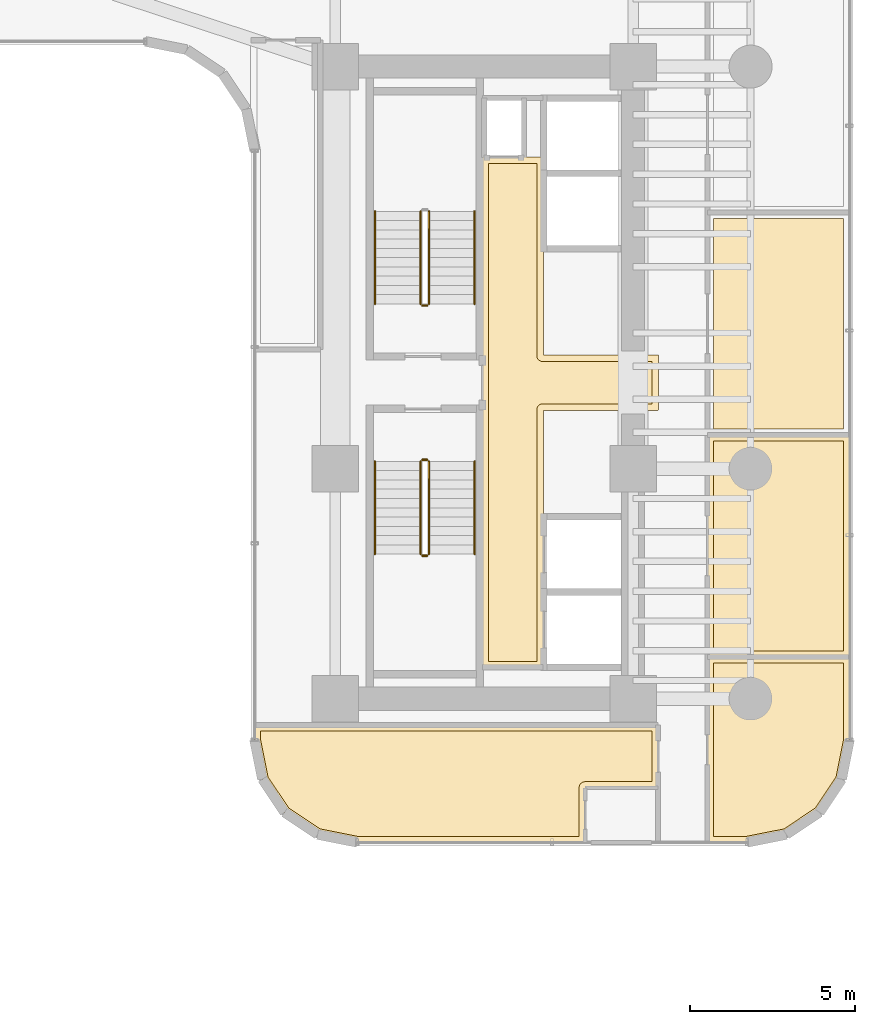
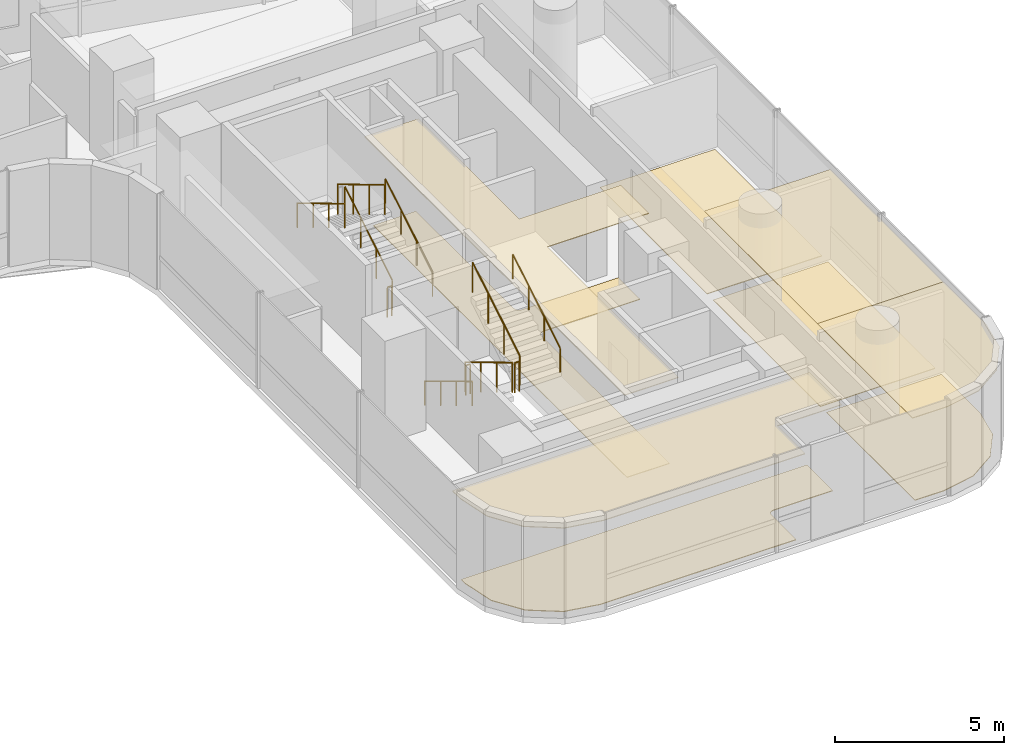
# One storey, part 37 of 40: 11 railings, 9 coverings.
"""IFC4 building model written with IfcOpenShell, lengths in metres."""

from ifc_helpers import new_model, si_unit, direction, frame, origin, origin_2d, place, context, subcontext, project, spatial, polyline, circle, outline, extrude, material, layer, layer_set, type_object, element, save


model = new_model("IFC4")

# Units and contexts
model_context = context("Model", 3, precision=1e-05, world=origin(), true_north=direction((0.0, 1.0)))
body_context = subcontext(model_context, "Body", "Model", "MODEL_VIEW")
ifc_project = project(units=[si_unit("LENGTHUNIT", "METRE"), si_unit("AREAUNIT", "SQUARE_METRE"), si_unit("VOLUMEUNIT", "CUBIC_METRE"), si_unit("PLANEANGLEUNIT", "RADIAN"), si_unit("MASSUNIT", "GRAM", prefix="KILO")], contexts=[model_context])

# Site, building, storey
site_placement = place(None, origin())
site = spatial("IfcSite", under=ifc_project, at=site_placement, CompositionType="ELEMENT")
building_placement = place(site_placement, origin())
building = spatial("IfcBuilding", under=site, at=building_placement, Name="Valdorenza Pilgrim Sanctuary Tower", CompositionType="ELEMENT")
storey_placement = place(building_placement, frame((0.0, 0.0, 44.5)))
storey = spatial("IfcBuildingStorey", under=building, at=storey_placement, Name="L10", CompositionType="ELEMENT", Elevation=44.5)

# Coverings
ifc_material_1 = material(Name="Micro-perforated acoustic mineral ceiling tile", Category="gypsum")
ifc_layer_1 = layer(ifc_material_1, 0.02490234375, Name="Micro-perforated acoustic mineral ceiling tile")
ifc_layer_set_1 = layer_set([ifc_layer_1], Name="Micro-perforated acoustic mineral ceiling tile")
covering_type_1 = type_object("IfcCoveringType", Name="COV-CLG-ACU", PredefinedType="CEILING", material=ifc_layer_set_1)
covering_1_placement = place(storey_placement, frame((0.0, 0.0, 3.159912109375)))
element("IfcCovering", 1, at=covering_1_placement, inside=storey, type_object=covering_type_1, Name="L10 Core B Passenger Lift Lobby Acoustic Ceiling", PredefinedType="CEILING", context=body_context, shape_type="SweptSolid", body=[
    extrude(outline(polyline([(20.287109375, -0.814697265625), (20.287109375, 0.814697265625), (20.28662109375, 0.815185546875), (20.2861328125, 0.81640625), (20.28564453125, 0.81787109375), (20.285400390625, 0.819091796875), (20.28515625, 0.820556640625), (20.284912109375, 0.822021484375), (20.284912109375, 6.800048828125), (20.28515625, 6.801513671875), (20.285400390625, 6.802978515625), (20.28564453125, 6.804443359375), (20.2861328125, 6.8056640625), (20.286865234375, 6.80712890625), (20.28759765625, 6.808349609375), (20.288330078125, 6.8095703125), (20.289306640625, 6.810546875), (20.29052734375, 6.8115234375), (20.291748046875, 6.8125), (20.29296875, 6.813232421875), (20.294189453125, 6.81396484375), (20.295654296875, 6.814453125), (20.297119140625, 6.814697265625), (20.298583984375, 6.81494140625), (20.300048828125, 6.81494140625), (20.347900390625, 6.81494140625), (20.349365234375, 6.81494140625), (20.350830078125, 6.814697265625), (20.352294921875, 6.814453125), (20.353515625, 6.81396484375), (20.35498046875, 6.813232421875), (20.35546875, 6.81298828125), (21.544677734375, 6.81298828125), (21.545166015625, 6.813232421875), (21.54638671875, 6.81396484375), (21.5478515625, 6.814453125), (21.54931640625, 6.814697265625), (21.550537109375, 6.81494140625), (21.552001953125, 6.81494140625), (22.1201171875, 6.81494140625), (22.12158203125, 6.81494140625), (22.122802734375, 6.814697265625), (22.12451171875, 6.814453125), (22.125732421875, 6.81396484375), (22.127197265625, 6.813232421875), (22.12841796875, 6.8125), (22.12939453125, 6.8115234375), (22.130615234375, 6.810546875), (22.131591796875, 6.8095703125), (22.132568359375, 6.808349609375), (22.13330078125, 6.80712890625), (22.1337890625, 6.8056640625), (22.134521484375, 6.804443359375), (22.134765625, 6.802978515625), (22.135009765625, 6.801513671875), (22.135009765625, 6.800048828125), (22.135009765625, 0.8349609375), (25.60009765625, 0.8349609375), (25.6015625, 0.8349609375), (25.602783203125, 0.834716796875), (25.6044921875, 0.83447265625), (25.605712890625, 0.833984375), (25.607177734375, 0.833251953125), (25.6083984375, 0.83251953125), (25.609619140625, 0.83154296875), (25.610595703125, 0.83056640625), (25.611572265625, 0.82958984375), (25.612548828125, 0.828369140625), (25.61328125, 0.8271484375), (25.614013671875, 0.82568359375), (25.614501953125, 0.824462890625), (25.61474609375, 0.822998046875), (25.614990234375, 0.821533203125), (25.614990234375, 0.820068359375), (25.614990234375, -0.820068359375), (25.614990234375, -0.821533203125), (25.61474609375, -0.822998046875), (25.614501953125, -0.824462890625), (25.614013671875, -0.82568359375), (25.61328125, -0.8271484375), (25.612548828125, -0.828369140625), (25.611572265625, -0.82958984375), (25.610595703125, -0.83056640625), (25.609619140625, -0.83154296875), (25.6083984375, -0.83251953125), (25.607177734375, -0.833251953125), (25.605712890625, -0.833984375), (25.6044921875, -0.83447265625), (25.602783203125, -0.834716796875), (25.6015625, -0.8349609375), (25.60009765625, -0.8349609375), (22.135009765625, -0.8349609375), (22.135009765625, -8.60009765625), (22.135009765625, -8.6015625), (22.134765625, -8.602783203125), (22.134521484375, -8.6044921875), (22.1337890625, -8.605712890625), (22.13330078125, -8.607177734375), (22.132568359375, -8.6083984375), (22.131591796875, -8.609619140625), (22.130615234375, -8.610595703125), (22.12939453125, -8.611572265625), (22.12841796875, -8.612548828125), (22.127197265625, -8.61328125), (22.125732421875, -8.614013671875), (22.12451171875, -8.614501953125), (22.122802734375, -8.61474609375), (22.12158203125, -8.614990234375), (22.1201171875, -8.614990234375), (20.300048828125, -8.614990234375), (20.298583984375, -8.614990234375), (20.297119140625, -8.61474609375), (20.295654296875, -8.614501953125), (20.294189453125, -8.614013671875), (20.29296875, -8.61328125), (20.291748046875, -8.612548828125), (20.29052734375, -8.611572265625), (20.289306640625, -8.610595703125), (20.288330078125, -8.609619140625), (20.28759765625, -8.6083984375), (20.286865234375, -8.607177734375), (20.2861328125, -8.605712890625), (20.28564453125, -8.6044921875), (20.285400390625, -8.602783203125), (20.28515625, -8.6015625), (20.284912109375, -8.60009765625), (20.284912109375, -0.822021484375), (20.28515625, -0.820556640625), (20.285400390625, -0.819091796875), (20.28564453125, -0.81787109375), (20.2861328125, -0.81640625), (20.28662109375, -0.815185546875), (20.287109375, -0.814697265625)])), origin(), (0.0, 0.0, 1.0), 0.025146484375),
])
covering_2_placement = place(storey_placement, frame((0.0, 0.0, 3.159912109375)))
element("IfcCovering", 2, at=covering_2_placement, inside=storey, type_object=covering_type_1, Name="L10 East South Guest Room L10-ES1 Acoustic Ceiling", PredefinedType="CEILING", context=body_context, shape_type="SweptSolid", body=[
    extrude(outline(polyline([(23.4130859375, -12.2529296875), (23.4130859375, -13.889892578125), (23.412841796875, -13.8916015625), (23.41259765625, -13.892822265625), (23.412353515625, -13.894287109375), (23.411865234375, -13.895751953125), (23.4111328125, -13.897216796875), (23.410400390625, -13.898193359375), (23.40966796875, -13.8994140625), (23.40869140625, -13.900634765625), (23.407470703125, -13.901611328125), (23.40625, -13.902587890625), (23.405029296875, -13.9033203125), (23.40380859375, -13.90380859375), (23.40234375, -13.904296875), (23.40087890625, -13.90478515625), (23.3994140625, -13.90478515625), (23.39794921875, -13.905029296875), (16.5107421875, -13.905029296875), (16.509521484375, -13.90478515625), (16.5078125, -13.90478515625), (15.3154296875, -13.66748046875), (15.31396484375, -13.6669921875), (15.3125, -13.66650390625), (15.311279296875, -13.666015625), (15.31005859375, -13.665283203125), (14.308349609375, -12.995849609375), (14.30712890625, -12.9951171875), (14.305908203125, -12.993896484375), (14.304931640625, -12.992919921875), (14.30419921875, -12.99169921875), (13.634765625, -11.989990234375), (13.634033203125, -11.98876953125), (13.63330078125, -11.9873046875), (13.6328125, -11.986083984375), (13.632568359375, -11.984619140625), (13.395263671875, -10.7919921875), (13.39501953125, -10.79052734375), (13.39501953125, -10.789306640625), (13.39501953125, -10.35009765625), (13.39501953125, -10.348388671875), (13.395263671875, -10.34716796875), (13.3955078125, -10.345703125), (13.39599609375, -10.34423828125), (13.396728515625, -10.343017578125), (13.3974609375, -10.341796875), (13.3984375, -10.340576171875), (13.3994140625, -10.33935546875), (13.400390625, -10.33837890625), (13.401611328125, -10.33740234375), (13.40283203125, -10.3369140625), (13.404296875, -10.336181640625), (13.405517578125, -10.335693359375), (13.406982421875, -10.335205078125), (13.408447265625, -10.335205078125), (13.409912109375, -10.3349609375), (25.60009765625, -10.3349609375), (25.6015625, -10.335205078125), (25.602783203125, -10.335205078125), (25.6044921875, -10.335693359375), (25.605712890625, -10.336181640625), (25.607177734375, -10.3369140625), (25.6083984375, -10.33740234375), (25.609619140625, -10.33837890625), (25.610595703125, -10.33935546875), (25.611572265625, -10.340576171875), (25.612548828125, -10.341796875), (25.61328125, -10.343017578125), (25.614013671875, -10.34423828125), (25.614501953125, -10.345703125), (25.61474609375, -10.34716796875), (25.614990234375, -10.348388671875), (25.614990234375, -10.35009765625), (25.614990234375, -12.238037109375), (25.614990234375, -12.239501953125), (25.61474609375, -12.240966796875), (25.614501953125, -12.242431640625), (25.614013671875, -12.24365234375), (25.61328125, -12.2451171875), (25.612548828125, -12.246337890625), (25.611572265625, -12.24755859375), (25.610595703125, -12.24853515625), (25.609619140625, -12.24951171875), (25.6083984375, -12.25048828125), (25.607177734375, -12.251220703125), (25.605712890625, -12.251953125), (25.6044921875, -12.25244140625), (25.602783203125, -12.252685546875), (25.6015625, -12.2529296875), (25.60009765625, -12.2529296875), (23.4130859375, -12.2529296875)])), origin(), (0.0, 0.0, 1.0), 0.025146484375),
])
covering_3_placement = place(storey_placement, frame((0.0, 0.0, 3.159912109375)))
element("IfcCovering", 3, at=covering_3_placement, inside=storey, type_object=covering_type_1, Name="L10 East Reading Lounge L10-EB1 Acoustic Ceiling", PredefinedType="CEILING", context=body_context, shape_type="SweptSolid", body=[
    extrude(outline(polyline([(31.389892578125, -8.2724609375), (31.3916015625, -8.272705078125), (31.392822265625, -8.272705078125), (31.394287109375, -8.273193359375), (31.395751953125, -8.273681640625), (31.397216796875, -8.2744140625), (31.398193359375, -8.27490234375), (31.3994140625, -8.27587890625), (31.400634765625, -8.27685546875), (31.401611328125, -8.278076171875), (31.402587890625, -8.279296875), (31.4033203125, -8.280517578125), (31.40380859375, -8.28173828125), (31.404296875, -8.283203125), (31.40478515625, -8.28466796875), (31.40478515625, -8.285888671875), (31.405029296875, -8.28759765625), (31.405029296875, -10.789306640625), (31.40478515625, -10.79052734375), (31.40478515625, -10.7919921875), (31.16748046875, -11.984619140625), (31.1669921875, -11.986083984375), (31.16650390625, -11.9873046875), (31.166015625, -11.98876953125), (31.165283203125, -11.989990234375), (30.495849609375, -12.99169921875), (30.4951171875, -12.992919921875), (30.493896484375, -12.993896484375), (30.492919921875, -12.9951171875), (30.49169921875, -12.995849609375), (29.489990234375, -13.665283203125), (29.48876953125, -13.666015625), (29.4873046875, -13.66650390625), (29.486083984375, -13.6669921875), (29.484619140625, -13.66748046875), (28.2919921875, -13.90478515625), (28.29052734375, -13.90478515625), (28.289306640625, -13.905029296875), (27.10009765625, -13.905029296875), (27.098388671875, -13.90478515625), (27.09716796875, -13.90478515625), (27.095703125, -13.904296875), (27.09423828125, -13.90380859375), (27.093017578125, -13.9033203125), (27.091796875, -13.902587890625), (27.090576171875, -13.901611328125), (27.08935546875, -13.900634765625), (27.08837890625, -13.8994140625), (27.08740234375, -13.898193359375), (27.0869140625, -13.897216796875), (27.086181640625, -13.895751953125), (27.085693359375, -13.894287109375), (27.085205078125, -13.892822265625), (27.085205078125, -13.8916015625), (27.0849609375, -13.889892578125), (27.0849609375, -8.28759765625), (27.085205078125, -8.285888671875), (27.085205078125, -8.28466796875), (27.085693359375, -8.283203125), (27.086181640625, -8.28173828125), (27.0869140625, -8.280517578125), (27.08740234375, -8.279296875), (27.08837890625, -8.278076171875), (27.08935546875, -8.27685546875), (27.090576171875, -8.27587890625), (27.091796875, -8.27490234375), (27.093017578125, -8.2744140625), (27.09423828125, -8.273681640625), (27.095703125, -8.273193359375), (27.09716796875, -8.272705078125), (27.098388671875, -8.272705078125), (27.10009765625, -8.2724609375), (31.389892578125, -8.2724609375)])), origin(), (0.0, 0.0, 1.0), 0.025146484375),
])
covering_4_placement = place(storey_placement, frame((0.0, 0.0, 3.159912109375)))
element("IfcCovering", 4, at=covering_4_placement, inside=storey, type_object=covering_type_1, Name="L10 East Reading Lounge L10-EB2 Acoustic Ceiling", PredefinedType="CEILING", context=body_context, shape_type="SweptSolid", body=[
    extrude(outline(polyline([(27.0849609375, -1.574951171875), (27.085205078125, -1.573486328125), (27.085205078125, -1.572021484375), (27.085693359375, -1.570556640625), (27.086181640625, -1.5693359375), (27.0869140625, -1.56787109375), (27.08740234375, -1.566650390625), (27.08837890625, -1.5654296875), (27.08935546875, -1.564453125), (27.090576171875, -1.5634765625), (27.091796875, -1.5625), (27.093017578125, -1.561767578125), (27.09423828125, -1.56103515625), (27.095703125, -1.560546875), (27.09716796875, -1.560302734375), (27.098388671875, -1.56005859375), (27.10009765625, -1.56005859375), (31.389892578125, -1.56005859375), (31.3916015625, -1.56005859375), (31.392822265625, -1.560302734375), (31.394287109375, -1.560546875), (31.395751953125, -1.56103515625), (31.397216796875, -1.561767578125), (31.398193359375, -1.5625), (31.3994140625, -1.5634765625), (31.400634765625, -1.564453125), (31.401611328125, -1.5654296875), (31.402587890625, -1.566650390625), (31.4033203125, -1.56787109375), (31.40380859375, -1.5693359375), (31.404296875, -1.570556640625), (31.40478515625, -1.572021484375), (31.40478515625, -1.573486328125), (31.405029296875, -1.574951171875), (31.405029296875, -8.285400390625), (31.40478515625, -8.287109375), (31.40478515625, -8.288330078125), (31.404296875, -8.289794921875), (31.40380859375, -8.291259765625), (31.4033203125, -8.29248046875), (31.402587890625, -8.293701171875), (31.401611328125, -8.294921875), (31.400634765625, -8.296142578125), (31.3994140625, -8.297119140625), (31.398193359375, -8.298095703125), (31.397216796875, -8.298583984375), (31.395751953125, -8.29931640625), (31.394287109375, -8.2998046875), (31.392822265625, -8.30029296875), (31.3916015625, -8.30029296875), (31.389892578125, -8.300537109375), (27.10009765625, -8.300537109375), (27.098388671875, -8.30029296875), (27.09716796875, -8.30029296875), (27.095703125, -8.2998046875), (27.09423828125, -8.29931640625), (27.093017578125, -8.298583984375), (27.091796875, -8.298095703125), (27.090576171875, -8.297119140625), (27.08935546875, -8.296142578125), (27.08837890625, -8.294921875), (27.08740234375, -8.293701171875), (27.0869140625, -8.29248046875), (27.086181640625, -8.291259765625), (27.085693359375, -8.289794921875), (27.085205078125, -8.288330078125), (27.085205078125, -8.287109375), (27.0849609375, -8.285400390625), (27.0849609375, -1.574951171875)])), origin(), (0.0, 0.0, 1.0), 0.025146484375),
])
ifc_material_2 = material(Name="Engineered European oak timber flooring", Category="wood")
ifc_layer_2 = layer(ifc_material_2, 0.02197265625, Name="Engineered European oak timber flooring")
ifc_layer_set_2 = layer_set([ifc_layer_2], Name="Engineered European oak timber flooring")
covering_type_2 = type_object("IfcCoveringType", Name="COV-FLR-OAK", PredefinedType="FLOORING", material=ifc_layer_set_2)
covering_5_placement = place(storey_placement, origin())
element("IfcCovering", 5, at=covering_5_placement, inside=storey, type_object=covering_type_2, Name="L10 East South Guest Room L10-ES1 Flooring", PredefinedType="FLOORING", context=body_context, shape_type="SweptSolid", body=[
    extrude(outline(polyline([(25.419921875, -10.530029296875), (25.419921875, -12.05810546875), (23.39990234375, -12.05810546875), (23.39111328125, -12.05810546875), (23.39111328125, -12.05810546875), (23.373291015625, -12.06005859375), (23.373291015625, -12.06005859375), (23.35595703125, -12.0634765625), (23.355712890625, -12.0634765625), (23.3388671875, -12.068603515625), (23.338623046875, -12.068603515625), (23.322265625, -12.075439453125), (23.322021484375, -12.075439453125), (23.306396484375, -12.083740234375), (23.306396484375, -12.083984375), (23.291748046875, -12.09375), (23.29150390625, -12.093994140625), (23.27783203125, -12.10498046875), (23.277587890625, -12.105224609375), (23.26513671875, -12.11767578125), (23.26513671875, -12.117919921875), (23.25390625, -12.131591796875), (23.25390625, -12.131591796875), (23.243896484375, -12.146484375), (23.243896484375, -12.146484375), (23.235595703125, -12.162109375), (23.2353515625, -12.162353515625), (23.228759765625, -12.1787109375), (23.228515625, -12.1787109375), (23.223388671875, -12.19580078125), (23.223388671875, -12.19580078125), (23.219970703125, -12.213134765625), (23.219970703125, -12.21337890625), (23.21826171875, -12.23095703125), (23.21826171875, -12.231201171875), (23.218017578125, -12.239990234375), (23.218017578125, -13.7099609375), (16.528564453125, -13.7099609375), (15.388671875, -13.483154296875), (14.4462890625, -12.853515625), (13.81689453125, -11.911376953125), (13.590087890625, -10.771484375), (13.590087890625, -10.530029296875), (25.419921875, -10.530029296875)])), origin(), (0.0, 0.0, 1.0), 0.02490234375),
])
ifc_material_3 = material(Name="Honed travertine stone flooring", Category="masonry")
ifc_layer_3 = layer(ifc_material_3, 0.030029296875, Name="Honed travertine stone flooring")
ifc_layer_set_3 = layer_set([ifc_layer_3], Name="Honed travertine stone flooring")
covering_type_3 = type_object("IfcCoveringType", Name="COV-FLR-TRV", PredefinedType="FLOORING", material=ifc_layer_set_3)
covering_6_placement = place(storey_placement, origin())
element("IfcCovering", 6, at=covering_6_placement, inside=storey, type_object=covering_type_3, Name="L10 Core B Passenger Lift Lobby Flooring", PredefinedType="FLOORING", context=body_context, shape_type="SweptSolid", body=[
    extrude(outline(polyline([(20.47998046875, 6.617919921875), (21.550048828125, 6.617919921875), (21.550537109375, 6.617919921875), (21.93994140625, 6.619384765625), (21.93994140625, 0.820068359375), (21.94091796875, 0.802490234375), (21.943603515625, 0.784912109375), (21.94775390625, 0.767578125), (21.95361328125, 0.751220703125), (21.961181640625, 0.735107421875), (21.97021484375, 0.719970703125), (21.98095703125, 0.705810546875), (21.99267578125, 0.692626953125), (22.005859375, 0.680908203125), (22.02001953125, 0.67041015625), (22.03515625, 0.661376953125), (22.051025390625, 0.65380859375), (22.067626953125, 0.647705078125), (22.0849609375, 0.6435546875), (22.102294921875, 0.640869140625), (22.1201171875, 0.639892578125), (25.419921875, 0.639892578125), (25.419921875, -0.639892578125), (22.1201171875, -0.639892578125), (22.102294921875, -0.640869140625), (22.0849609375, -0.6435546875), (22.067626953125, -0.647705078125), (22.051025390625, -0.65380859375), (22.03515625, -0.661376953125), (22.02001953125, -0.67041015625), (22.005859375, -0.680908203125), (21.99267578125, -0.692626953125), (21.98095703125, -0.705810546875), (21.97021484375, -0.719970703125), (21.961181640625, -0.735107421875), (21.95361328125, -0.751220703125), (21.94775390625, -0.767578125), (21.943603515625, -0.784912109375), (21.94091796875, -0.802490234375), (21.93994140625, -0.820068359375), (21.93994140625, -8.419921875), (20.47998046875, -8.419921875), (20.47998046875, -0.846923828125), (20.47998046875, -0.8466796875), (20.47998046875, -0.8466796875), (20.481689453125, -0.8291015625), (20.481689453125, -0.828857421875), (20.48193359375, -0.820068359375), (20.48193359375, 0.820068359375), (20.47998046875, 6.617919921875)])), origin(), (0.0, 0.0, 1.0), 0.02490234375),
])
covering_7_placement = place(storey_placement, origin())
element("IfcCovering", 7, at=covering_7_placement, inside=storey, type_object=covering_type_3, Name="L10 East Reading Lounge L10-EB1 Flooring", PredefinedType="FLOORING", context=body_context, shape_type="SweptSolid", body=[
    extrude(outline(polyline([(31.2099609375, -8.467529296875), (31.2099609375, -10.771484375), (30.983154296875, -11.911376953125), (30.353515625, -12.853515625), (29.411376953125, -13.483154296875), (28.271484375, -13.7099609375), (27.280029296875, -13.7099609375), (27.280029296875, -8.467529296875), (31.2099609375, -8.467529296875)])), origin(), (0.0, 0.0, 1.0), 0.02490234375),
])
covering_8_placement = place(storey_placement, origin())
element("IfcCovering", 8, at=covering_8_placement, inside=storey, type_object=covering_type_3, Name="L10 East Reading Lounge L10-EB2 Flooring", PredefinedType="FLOORING", context=body_context, shape_type="SweptSolid", body=[
    extrude(outline(polyline([(27.280029296875, -1.7548828125), (31.2099609375, -1.7548828125), (31.2099609375, -8.10546875), (27.280029296875, -8.10546875), (27.280029296875, -1.7548828125)])), origin(), (0.0, 0.0, 1.0), 0.02490234375),
])
covering_9_placement = place(storey_placement, origin())
element("IfcCovering", 9, at=covering_9_placement, inside=storey, type_object=covering_type_3, Name="L10 East Reading Lounge L10-EB3 Flooring", PredefinedType="FLOORING", context=body_context, shape_type="SweptSolid", body=[
    extrude(outline(polyline([(27.280029296875, 4.95751953125), (31.2099609375, 4.95751953125), (31.2099609375, -1.39306640625), (27.280029296875, -1.39306640625), (27.280029296875, 4.95751953125)])), origin(), (0.0, 0.0, 1.0), 0.02490234375),
])

# Railings
ifc_material_4 = material(Name="Stainless steel Grade 316", Category="steel")
railing_type_1 = type_object("IfcRailingType", Name="RLG-GRD-1120", PredefinedType="GUARDRAIL", material=ifc_material_4)
railing_1_placement = place(storey_placement, frame((18.679931640625, 2.3798828125, 0.168212890625)))
element("IfcRailing", 10, at=railing_1_placement, inside=storey, type_object=railing_type_1, Name="L10 ST-B1 stair guard 1", PredefinedType="GUARDRAIL", context=body_context, shape_type="SweptSolid", body=[
    extrude(circle(Radius=0.02392578125, at=origin_2d()), frame((0.0, 0.0, 1.076171875), z_axis=(0.0, 0.857242210791, 0.514913383045), x_axis=(-1.0, 0.0, 0.0)), (0.0, 0.0, 1.0), 3.266357421875),
    extrude(circle(Radius=0.02099609375, at=origin_2d()), origin(), (0.0, 0.0, 1.0), 1.052001953125),
    extrude(circle(Radius=0.02099609375, at=origin_2d()), frame((0.0, 0.933349609375, 0.560546875)), (0.0, 0.0, 1.0), 1.052001953125),
    extrude(circle(Radius=0.02099609375, at=origin_2d()), frame((0.0, 1.86669921875, 1.121337890625)), (0.0, 0.0, 1.0), 1.052001953125),
    extrude(circle(Radius=0.02099609375, at=origin_2d()), frame((0.0, 2.800048828125, 1.681884765625)), (0.0, 0.0, 1.0), 1.052001953125),
])
railing_2_placement = place(storey_placement, frame((18.429931640625, 5.179931640625, 2.01806640625)))
element("IfcRailing", 11, at=railing_2_placement, inside=storey, type_object=railing_type_1, Name="L10 ST-B1 stair guard 3", PredefinedType="GUARDRAIL", context=body_context, shape_type="SweptSolid", body=[
    extrude(circle(Radius=0.02392578125, at=origin_2d()), frame((0.0, 0.0, 1.076171875), z_axis=(0.0, -0.857242210791, 0.514913383045), x_axis=(1.0, 0.0, 0.0)), (0.0, 0.0, 1.0), 3.266357421875),
    extrude(circle(Radius=0.02099609375, at=origin_2d()), origin(), (0.0, 0.0, 1.0), 1.052001953125),
    extrude(circle(Radius=0.02099609375, at=origin_2d()), frame((0.0, -0.933349609375, 0.560546875)), (0.0, 0.0, 1.0), 1.052001953125),
    extrude(circle(Radius=0.02099609375, at=origin_2d()), frame((0.0, -1.86669921875, 1.121337890625)), (0.0, 0.0, 1.0), 1.052001953125),
    extrude(circle(Radius=0.02099609375, at=origin_2d()), frame((0.0, -2.800048828125, 1.681884765625)), (0.0, 0.0, 1.0), 1.052001953125),
])
railing_3_placement = place(storey_placement, frame((18.6298828125, 2.330078125, 0.0)))
element("IfcRailing", 12, at=railing_3_placement, inside=storey, type_object=railing_type_1, Name="L10 ST-B1 stair guard 4", PredefinedType="GUARDRAIL", context=body_context, shape_type="SweptSolid", body=[
    extrude(circle(Radius=0.02392578125, at=origin_2d()), frame((0.0, 0.0, 1.076171875), z_axis=(-1.0, 0.0, 0.0), x_axis=(0.0, -1.0, 0.0)), (0.0, 0.0, 1.0), 0.14990234375),
    extrude(circle(Radius=0.02099609375, at=origin_2d()), origin(), (0.0, 0.0, 1.0), 1.052001953125),
    extrude(circle(Radius=0.02099609375, at=origin_2d()), frame((-0.14990234375, 0.0, 0.0)), (0.0, 0.0, 1.0), 1.052001953125),
])
railing_4_placement = place(storey_placement, frame((18.429931640625, -2.3798828125, 0.168212890625)))
element("IfcRailing", 13, at=railing_4_placement, inside=storey, type_object=railing_type_1, Name="L10 ST-B2 stair guard 1", PredefinedType="GUARDRAIL", context=body_context, shape_type="SweptSolid", body=[
    extrude(circle(Radius=0.02392578125, at=origin_2d()), frame((0.0, 0.0, 1.076171875), z_axis=(0.0, -0.857242210791, 0.514913383045), x_axis=(1.0, 0.0, 0.0)), (0.0, 0.0, 1.0), 3.266357421875),
    extrude(circle(Radius=0.02099609375, at=origin_2d()), origin(), (0.0, 0.0, 1.0), 1.052001953125),
    extrude(circle(Radius=0.02099609375, at=origin_2d()), frame((0.0, -0.933349609375, 0.560546875)), (0.0, 0.0, 1.0), 1.052001953125),
    extrude(circle(Radius=0.02099609375, at=origin_2d()), frame((0.0, -1.86669921875, 1.121337890625)), (0.0, 0.0, 1.0), 1.052001953125),
    extrude(circle(Radius=0.02099609375, at=origin_2d()), frame((0.0, -2.800048828125, 1.681884765625)), (0.0, 0.0, 1.0), 1.052001953125),
])
railing_5_placement = place(storey_placement, frame((18.47998046875, -5.22998046875, 1.85009765625)))
element("IfcRailing", 14, at=railing_5_placement, inside=storey, type_object=railing_type_1, Name="L10 ST-B2 stair guard 2", PredefinedType="GUARDRAIL", context=body_context, shape_type="SweptSolid", body=[
    extrude(circle(Radius=0.02392578125, at=origin_2d()), frame((0.0, 0.0, 1.076171875), z_axis=(1.0, 0.0, 0.0), x_axis=(0.0, 1.0, 0.0)), (0.0, 0.0, 1.0), 0.14990234375),
    extrude(circle(Radius=0.02099609375, at=origin_2d()), origin(), (0.0, 0.0, 1.0), 1.052001953125),
    extrude(circle(Radius=0.02099609375, at=origin_2d()), frame((0.14990234375, 0.0, 0.0)), (0.0, 0.0, 1.0), 1.052001953125),
])
railing_6_placement = place(storey_placement, frame((18.679931640625, -5.179931640625, 2.01806640625)))
element("IfcRailing", 15, at=railing_6_placement, inside=storey, type_object=railing_type_1, Name="L10 ST-B2 stair guard 3", PredefinedType="GUARDRAIL", context=body_context, shape_type="SweptSolid", body=[
    extrude(circle(Radius=0.02392578125, at=origin_2d()), frame((0.0, 0.0, 1.076171875), z_axis=(0.0, 0.857242210791, 0.514913383045), x_axis=(-1.0, 0.0, 0.0)), (0.0, 0.0, 1.0), 3.266357421875),
    extrude(circle(Radius=0.02099609375, at=origin_2d()), origin(), (0.0, 0.0, 1.0), 1.052001953125),
    extrude(circle(Radius=0.02099609375, at=origin_2d()), frame((0.0, 0.933349609375, 0.560546875)), (0.0, 0.0, 1.0), 1.052001953125),
    extrude(circle(Radius=0.02099609375, at=origin_2d()), frame((0.0, 1.86669921875, 1.121337890625)), (0.0, 0.0, 1.0), 1.052001953125),
    extrude(circle(Radius=0.02099609375, at=origin_2d()), frame((0.0, 2.800048828125, 1.681884765625)), (0.0, 0.0, 1.0), 1.052001953125),
])
railing_7_placement = place(storey_placement, frame((18.47998046875, -2.330078125, 0.0)))
element("IfcRailing", 16, at=railing_7_placement, inside=storey, type_object=railing_type_1, Name="L10 ST-B2 stair guard 4", PredefinedType="GUARDRAIL", context=body_context, shape_type="SweptSolid", body=[
    extrude(circle(Radius=0.02392578125, at=origin_2d()), frame((0.0, 0.0, 1.076171875), z_axis=(1.0, 0.0, 0.0), x_axis=(0.0, 1.0, 0.0)), (0.0, 0.0, 1.0), 0.14990234375),
    extrude(circle(Radius=0.02099609375, at=origin_2d()), origin(), (0.0, 0.0, 1.0), 1.052001953125),
    extrude(circle(Radius=0.02099609375, at=origin_2d()), frame((0.14990234375, 0.0, 0.0)), (0.0, 0.0, 1.0), 1.052001953125),
])
ifc_material_5 = material(Name="Brushed stainless steel Grade 316", Category="steel")
railing_type_2 = type_object("IfcRailingType", Name="RLG-HND-920", PredefinedType="HANDRAIL", material=ifc_material_5)
railing_8_placement = place(storey_placement, frame((20.06005859375, 2.3798828125, 0.168212890625)))
element("IfcRailing", 17, at=railing_8_placement, inside=storey, type_object=railing_type_2, Name="L10 ST-B1 stair handrail 1", PredefinedType="HANDRAIL", context=body_context, shape_type="SweptSolid", body=[
    extrude(circle(Radius=0.02392578125, at=origin_2d()), frame((0.0, 0.0, 0.8759765625), z_axis=(0.0, 0.857242210791, 0.514913383045), x_axis=(-1.0, 0.0, 0.0)), (0.0, 0.0, 1.0), 3.266357421875),
    extrude(circle(Radius=0.02099609375, at=origin_2d()), origin(), (0.0, 0.0, 1.0), 0.851806640625),
    extrude(circle(Radius=0.02099609375, at=origin_2d()), frame((0.0, 0.933349609375, 0.560546875)), (0.0, 0.0, 1.0), 0.851806640625),
    extrude(circle(Radius=0.02099609375, at=origin_2d()), frame((0.0, 1.86669921875, 1.121337890625)), (0.0, 0.0, 1.0), 0.851806640625),
    extrude(circle(Radius=0.02099609375, at=origin_2d()), frame((0.0, 2.800048828125, 1.681884765625)), (0.0, 0.0, 1.0), 0.851806640625),
])
for number, where, name in (
    (18, (17.050048828125, 5.179931640625, 2.01806640625), "L10 ST-B1 stair handrail 2"),
    (19, (17.050048828125, -2.3798828125, 0.168212890625), "L10 ST-B2 stair handrail 1"),
):
    element("IfcRailing", number, at=place(storey_placement, frame(where)), inside=storey, type_object=railing_type_2, Name=name, PredefinedType="HANDRAIL", context=body_context, shape_type="SweptSolid", body=[
        extrude(circle(Radius=0.02392578125, at=origin_2d()), frame((0.0, 0.0, 0.8759765625), z_axis=(0.0, -0.857242210791, 0.514913383045), x_axis=(1.0, 0.0, 0.0)), (0.0, 0.0, 1.0), 3.266357421875),
        extrude(circle(Radius=0.02099609375, at=origin_2d()), origin(), (0.0, 0.0, 1.0), 0.851806640625),
        extrude(circle(Radius=0.02099609375, at=origin_2d()), frame((0.0, -0.933349609375, 0.560546875)), (0.0, 0.0, 1.0), 0.851806640625),
        extrude(circle(Radius=0.02099609375, at=origin_2d()), frame((0.0, -1.86669921875, 1.121337890625)), (0.0, 0.0, 1.0), 0.851806640625),
        extrude(circle(Radius=0.02099609375, at=origin_2d()), frame((0.0, -2.800048828125, 1.681884765625)), (0.0, 0.0, 1.0), 0.851806640625),
    ])
railing_9_placement = place(storey_placement, frame((20.06005859375, -5.179931640625, 2.01806640625)))
element("IfcRailing", 20, at=railing_9_placement, inside=storey, type_object=railing_type_2, Name="L10 ST-B2 stair handrail 2", PredefinedType="HANDRAIL", context=body_context, shape_type="SweptSolid", body=[
    extrude(circle(Radius=0.02392578125, at=origin_2d()), frame((0.0, 0.0, 0.8759765625), z_axis=(0.0, 0.857242210791, 0.514913383045), x_axis=(-1.0, 0.0, 0.0)), (0.0, 0.0, 1.0), 3.266357421875),
    extrude(circle(Radius=0.02099609375, at=origin_2d()), origin(), (0.0, 0.0, 1.0), 0.851806640625),
    extrude(circle(Radius=0.02099609375, at=origin_2d()), frame((0.0, 0.933349609375, 0.560546875)), (0.0, 0.0, 1.0), 0.851806640625),
    extrude(circle(Radius=0.02099609375, at=origin_2d()), frame((0.0, 1.86669921875, 1.121337890625)), (0.0, 0.0, 1.0), 0.851806640625),
    extrude(circle(Radius=0.02099609375, at=origin_2d()), frame((0.0, 2.800048828125, 1.681884765625)), (0.0, 0.0, 1.0), 0.851806640625),
])

save(model, "model.ifc")
